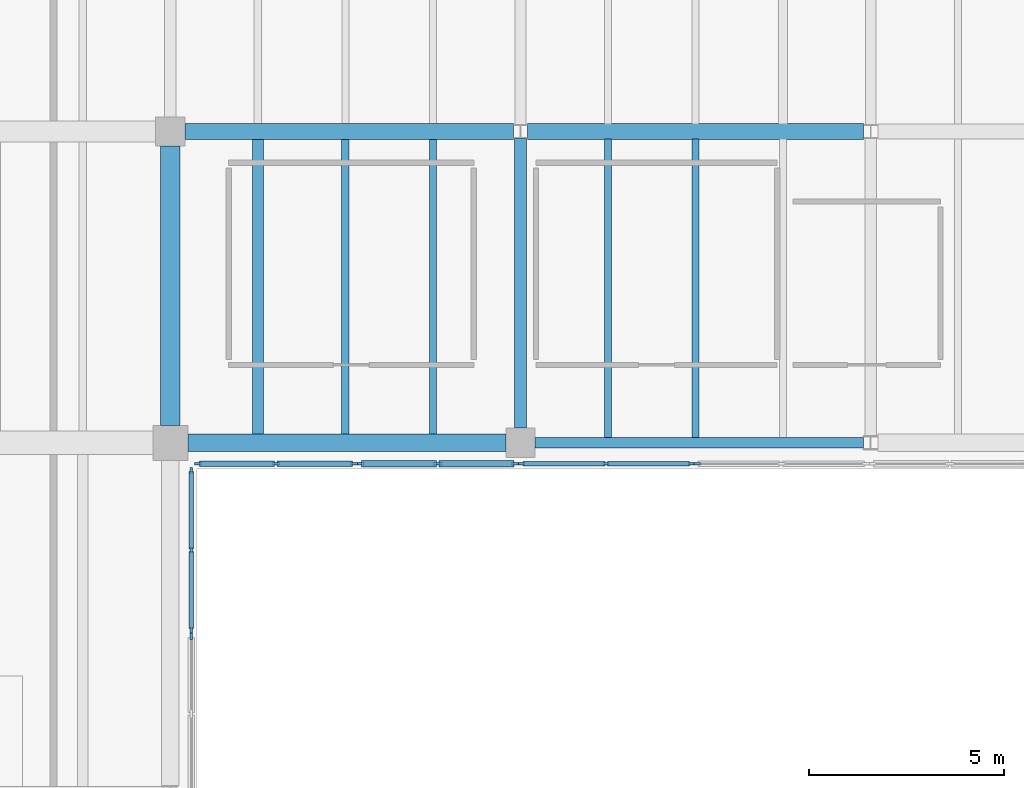
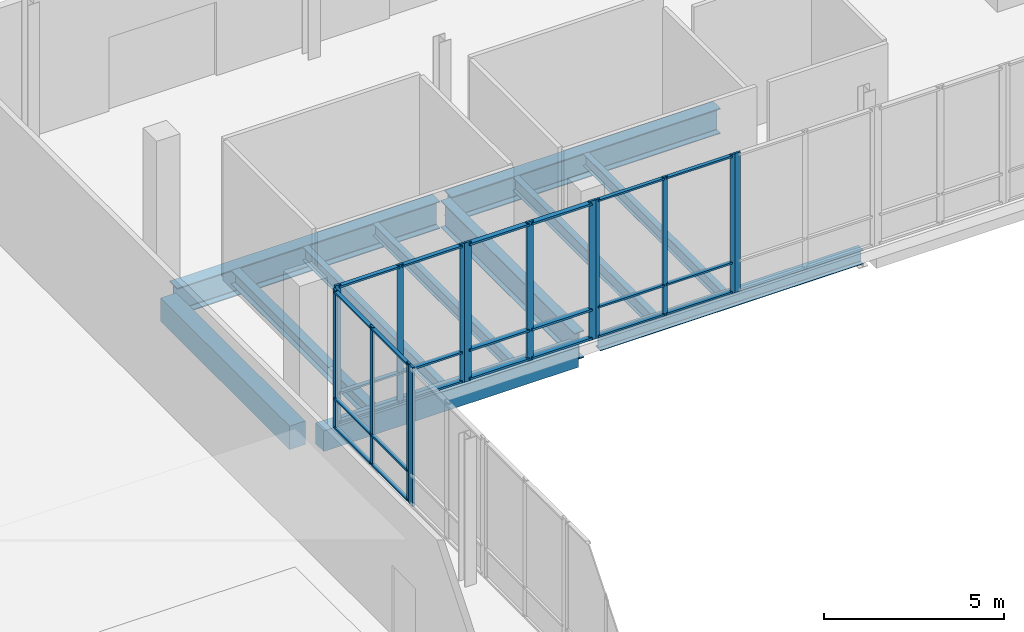
# One storey, part 40 of 88: 38 members, 11 beams, 6 elements without a shape of their own.
"""IFC4 building model written with IfcOpenShell, lengths in metres."""

from ifc_helpers import new_model, si_unit, direction, frame, origin, origin_2d, place, context, subcontext, project, spatial, rectangle, i_section, extrude, material, material_profile, profile_set, type_object, element, aggregate, save


model = new_model("IFC4")

# Units and contexts
model_context = context("Model", 3, precision=1e-05, world=origin(), true_north=direction((0.0, 1.0)))
body_context = subcontext(model_context, "Body", "Model", "MODEL_VIEW")
ifc_project = project(units=[si_unit("LENGTHUNIT", "METRE"), si_unit("AREAUNIT", "SQUARE_METRE"), si_unit("VOLUMEUNIT", "CUBIC_METRE"), si_unit("PLANEANGLEUNIT", "RADIAN"), si_unit("MASSUNIT", "GRAM", prefix="KILO")], contexts=[model_context])

# Site, building, storey
site_placement = place(None, origin())
site = spatial("IfcSite", under=ifc_project, at=site_placement, CompositionType="ELEMENT")
building_placement = place(site_placement, origin())
building = spatial("IfcBuilding", under=site, at=building_placement, Name="Trimount Lyric Opera House", CompositionType="ELEMENT")
storey_placement = place(building_placement, origin())
storey = spatial("IfcBuildingStorey", under=building, at=storey_placement, Name="L00", CompositionType="ELEMENT", Elevation=0.0)

# Beams
ifc_material_1 = material(Name="Steel ASTM A992 Grade 50", Category="steel")
ifc_material_profile_1 = material_profile(ifc_material_1, i_section(OverallWidth=0.4189453125, OverallDepth=0.927001953125, WebThickness=0.019287109375, FlangeThickness=0.031982421875, FilletRadius=0.02392578125, at=origin_2d()), Name="W36X231")
ifc_profile_set_1 = profile_set([ifc_material_profile_1], Name="Steel ASTM A992 Grade 50")
beam_type_1 = type_object("IfcBeamType", Name="B-02", PredefinedType="BEAM", material=ifc_profile_set_1)
beam_1_placement = place(storey_placement, frame((18.375, 110.0, -0.8134765625), z_axis=(1.0, 0.0, 0.0), x_axis=(0.0, 1.0, 0.0)))
element("IfcBeam", 1, at=beam_1_placement, inside=storey, type_object=beam_type_1, Name="L00 girder X-0207", PredefinedType="BEAM", context=body_context, shape_type="SweptSolid", body=[
    extrude(i_section(OverallWidth=0.4189453125, OverallDepth=0.927001953125, WebThickness=0.019287109375, FlangeThickness=0.031982421875, FilletRadius=0.02392578125, at=origin_2d()), origin(), (0.0, 0.0, 1.0), 8.44091796875),
])
ifc_material_2 = material(Name="Steel ASTM A992 Grade 50", Category="steel")
ifc_material_profile_2 = material_profile(ifc_material_2, i_section(OverallWidth=0.304931640625, OverallDepth=0.9189453125, WebThickness=0.017333984375, FlangeThickness=0.02783203125, FilletRadius=0.02001953125, at=origin_2d()), Name="W36X170")
ifc_profile_set_2 = profile_set([ifc_material_profile_2], Name="Steel ASTM A992 Grade 50")
beam_type_2 = type_object("IfcBeamType", Name="B-03", PredefinedType="BEAM", material=ifc_profile_set_2)
beam_2_placement = place(storey_placement, frame((27.0, 102.375, -0.8095703125), z_axis=(0.0, 1.0, 0.0), x_axis=(-1.0, 0.0, 0.0)))
element("IfcBeam", 2, at=beam_2_placement, inside=storey, type_object=beam_type_2, Name="L00 girder Y-0275", PredefinedType="BEAM", context=body_context, shape_type="SweptSolid", body=[
    extrude(i_section(OverallWidth=0.304931640625, OverallDepth=0.9189453125, WebThickness=0.017333984375, FlangeThickness=0.02783203125, FilletRadius=0.02001953125, at=origin_2d()), origin(), (0.0, 0.0, 1.0), 7.447021484375),
])
ifc_material_3 = material(Name="Steel ASTM A992 Grade 50", Category="steel")
ifc_material_profile_3 = material_profile(ifc_material_3, i_section(OverallWidth=0.40087890625, OverallDepth=0.861083984375, WebThickness=0.019775390625, FlangeThickness=0.032470703125, FilletRadius=0.02001953125, at=origin_2d()), Name="W33X221")
ifc_profile_set_3 = profile_set([ifc_material_profile_3], Name="Steel ASTM A992 Grade 50")
beam_type_3 = type_object("IfcBeamType", Name="B-04", PredefinedType="BEAM", material=ifc_profile_set_3)
beam_3_placement = place(storey_placement, frame((27.18408203125, 110.0, -0.780517578125), z_axis=(1.0, 0.0, 0.0), x_axis=(0.0, 1.0, 0.0)))
element("IfcBeam", 3, at=beam_3_placement, inside=storey, type_object=beam_type_3, Name="L00 girder X-0208", PredefinedType="BEAM", context=body_context, shape_type="SweptSolid", body=[
    extrude(i_section(OverallWidth=0.40087890625, OverallDepth=0.861083984375, WebThickness=0.019775390625, FlangeThickness=0.032470703125, FilletRadius=0.02001953125, at=origin_2d()), origin(), (0.0, 0.0, 1.0), 8.62939453125),
])
ifc_material_4 = material(Name="Concrete C40/50", Category="concrete")
ifc_material_profile_4 = material_profile(ifc_material_4, rectangle(XDim=0.5, YDim=0.800048828125, at=origin_2d()), Name="RC500X800")
ifc_profile_set_4 = profile_set([ifc_material_profile_4], Name="Concrete C40/50")
beam_type_4 = type_object("IfcBeamType", Name="B-15", PredefinedType="BEAM", material=ifc_profile_set_4)
beam_4_placement = place(storey_placement, frame((18.0, 102.449951171875, -0.75), z_axis=(0.0, 1.0, 0.0), x_axis=(-1.0, 0.0, 0.0)))
element("IfcBeam", 4, at=beam_4_placement, inside=storey, type_object=beam_type_4, Name="L00 girder Y-0270", PredefinedType="BEAM", context=body_context, shape_type="SweptSolid", body=[
    extrude(rectangle(XDim=0.5, YDim=0.800048828125, at=origin_2d()), origin(), (0.0, 0.0, 1.0), 7.175048828125),
])
ifc_material_5 = material(Name="Steel ASTM A992 Grade 50", Category="steel")
ifc_material_profile_5 = material_profile(ifc_material_5, i_section(OverallWidth=0.281982421875, OverallDepth=0.467041015625, WebThickness=0.01220703125, FlangeThickness=0.01953125, FilletRadius=0.012939453125, at=origin_2d()), Name="W18X86")
ifc_profile_set_5 = profile_set([ifc_material_profile_5], Name="Steel ASTM A992 Grade 50")
beam_type_5 = type_object("IfcBeamType", Name="J-03", PredefinedType="BEAM", material=ifc_profile_set_5)
beam_5_placement = place(storey_placement, frame((20.25, 102.220947265625, -0.58349609375), z_axis=(0.0, 1.0, 0.0), x_axis=(-1.0, 0.0, 0.0)))
element("IfcBeam", 5, at=beam_5_placement, inside=storey, type_object=beam_type_5, Name="L00 composite floor joist 0076", PredefinedType="BEAM", context=body_context, shape_type="SweptSolid", body=[
    extrude(i_section(OverallWidth=0.281982421875, OverallDepth=0.467041015625, WebThickness=0.01220703125, FlangeThickness=0.01953125, FilletRadius=0.012939453125, at=origin_2d()), origin(), (0.0, 0.0, 1.0), 7.573486328125),
])
ifc_material_6 = material(Name="Steel ASTM A992 Grade 50", Category="steel")
ifc_material_profile_6 = material_profile(ifc_material_6, i_section(OverallWidth=0.19091796875, OverallDepth=0.45703125, WebThickness=0.009033203125, FlangeThickness=0.014404296875, FilletRadius=0.010986328125, at=origin_2d()), Name="W18X50")
ifc_profile_set_6 = profile_set([ifc_material_profile_6], Name="Steel ASTM A992 Grade 50")
beam_type_6 = type_object("IfcBeamType", Name="J-04", PredefinedType="BEAM", material=ifc_profile_set_6)
beam_6_placement = place(storey_placement, frame((22.5, 102.220947265625, -0.57861328125), z_axis=(0.0, 1.0, 0.0), x_axis=(-1.0, 0.0, 0.0)))
element("IfcBeam", 6, at=beam_6_placement, inside=storey, type_object=beam_type_6, Name="L00 composite floor joist 0077", PredefinedType="BEAM", context=body_context, shape_type="SweptSolid", body=[
    extrude(i_section(OverallWidth=0.19091796875, OverallDepth=0.45703125, WebThickness=0.009033203125, FlangeThickness=0.014404296875, FilletRadius=0.010986328125, at=origin_2d()), origin(), (0.0, 0.0, 1.0), 7.573486328125),
])
beam_7_placement = place(storey_placement, frame((29.25, 102.136962890625, -0.57861328125), z_axis=(0.0, 1.0, 0.0), x_axis=(-1.0, 0.0, 0.0)))
element("IfcBeam", 7, at=beam_7_placement, inside=storey, type_object=beam_type_6, Name="L00 composite floor joist 0092", PredefinedType="BEAM", context=body_context, shape_type="SweptSolid", body=[
    extrude(i_section(OverallWidth=0.19091796875, OverallDepth=0.45703125, WebThickness=0.009033203125, FlangeThickness=0.014404296875, FilletRadius=0.010986328125, at=origin_2d()), origin(), (0.0, 0.0, 1.0), 7.66650390625),
])
ifc_material_7 = material(Name="Steel ASTM A992 Grade 50", Category="steel")
ifc_material_profile_7 = material_profile(ifc_material_7, i_section(OverallWidth=0.180908203125, OverallDepth=0.4169921875, WebThickness=0.010986328125, FlangeThickness=0.018310546875, FilletRadius=0.010986328125, at=origin_2d()), Name="W16X57")
ifc_profile_set_7 = profile_set([ifc_material_profile_7], Name="Steel ASTM A992 Grade 50")
beam_type_7 = type_object("IfcBeamType", Name="J-05", PredefinedType="BEAM", material=ifc_profile_set_7)
beam_8_placement = place(storey_placement, frame((24.75, 102.220947265625, -0.55859375), z_axis=(0.0, 1.0, 0.0), x_axis=(-1.0, 0.0, 0.0)))
element("IfcBeam", 8, at=beam_8_placement, inside=storey, type_object=beam_type_7, Name="L00 composite floor joist 0078", PredefinedType="BEAM", context=body_context, shape_type="SweptSolid", body=[
    extrude(i_section(OverallWidth=0.180908203125, OverallDepth=0.4169921875, WebThickness=0.010986328125, FlangeThickness=0.018310546875, FilletRadius=0.010986328125, at=origin_2d()), origin(), (0.0, 0.0, 1.0), 7.573486328125),
])
beam_9_placement = place(storey_placement, frame((31.5, 102.136962890625, -0.55859375), z_axis=(0.0, 1.0, 0.0), x_axis=(-1.0, 0.0, 0.0)))
element("IfcBeam", 9, at=beam_9_placement, inside=storey, type_object=beam_type_7, Name="L00 composite floor joist 0093", PredefinedType="BEAM", context=body_context, shape_type="SweptSolid", body=[
    extrude(i_section(OverallWidth=0.180908203125, OverallDepth=0.4169921875, WebThickness=0.010986328125, FlangeThickness=0.018310546875, FilletRadius=0.010986328125, at=origin_2d()), origin(), (0.0, 0.0, 1.0), 7.66650390625),
])

# Curtain wall, members
ifc_material_8 = material(Name="Thermally Broken Aluminium and Low-E Glass", Category="aluminium")
curtain_wall_type = type_object("IfcCurtainWallType", Name="CW-03", PredefinedType="NOTDEFINED", material=ifc_material_8)
curtain_wall_1_placement = place(storey_placement, origin())
curtain_wall_1 = element("IfcCurtainWall", 10, at=curtain_wall_1_placement, inside=storey, type_object=curtain_wall_type, Name="L00 curtain wall 069", PredefinedType="NOTDEFINED")
ifc_material_9 = material(Name="Anodised Aluminium 6063-T6", Category="aluminium")
ifc_material_profile_8 = material_profile(ifc_material_9, rectangle(XDim=0.070068359375, YDim=0.219970703125, at=origin_2d()), Name="ALU-MULL-70X220")
ifc_profile_set_8 = profile_set([ifc_material_profile_8], Name="Anodised Aluminium 6063-T6")
member_type_1 = type_object("IfcMemberType", Name="ML-01", PredefinedType="MULLION", material=ifc_profile_set_8)
member_1_placement = place(storey_placement, frame((26.875, 101.4599609375, 0.0), z_axis=(0.0, 0.0, 1.0), x_axis=(0.0, -1.0, 0.0)))
member_1 = element("IfcMember", 11, at=member_1_placement, type_object=member_type_1, Name="CW-03 mullion 1", PredefinedType="MULLION", context=body_context, shape_type="SweptSolid", body=[
    extrude(rectangle(XDim=0.070068359375, YDim=0.219970703125, at=origin_2d()), origin(), (0.0, 0.0, 1.0), 4.719970703125),
])
member_2_placement = place(storey_placement, frame((24.875, 101.4599609375, 0.0), z_axis=(0.0, 0.0, 1.0), x_axis=(0.0, -1.0, 0.0)))
member_2 = element("IfcMember", 12, at=member_2_placement, type_object=member_type_1, Name="CW-03 mullion 2", PredefinedType="MULLION", context=body_context, shape_type="SweptSolid", body=[
    extrude(rectangle(XDim=0.070068359375, YDim=0.219970703125, at=origin_2d()), origin(), (0.0, 0.0, 1.0), 4.719970703125),
])
member_3_placement = place(storey_placement, frame((22.875, 101.4599609375, 0.0), z_axis=(0.0, 0.0, 1.0), x_axis=(0.0, -1.0, 0.0)))
member_3 = element("IfcMember", 13, at=member_3_placement, type_object=member_type_1, Name="CW-03 mullion 3", PredefinedType="MULLION", context=body_context, shape_type="SweptSolid", body=[
    extrude(rectangle(XDim=0.070068359375, YDim=0.219970703125, at=origin_2d()), origin(), (0.0, 0.0, 1.0), 4.719970703125),
])

# Curtain wall, member
curtain_wall_2_placement = place(storey_placement, origin())
curtain_wall_2 = element("IfcCurtainWall", 14, at=curtain_wall_2_placement, inside=storey, type_object=curtain_wall_type, Name="L00 curtain wall 072", PredefinedType="NOTDEFINED")
member_4_placement = place(storey_placement, frame((18.5400390625, 97.034912109375, 0.0), z_axis=(0.0, 0.0, 1.0), x_axis=(1.0, 0.0, 0.0)))
member_4 = element("IfcMember", 15, at=member_4_placement, type_object=member_type_1, Name="CW-03 mullion 1", PredefinedType="MULLION", context=body_context, shape_type="SweptSolid", body=[
    extrude(rectangle(XDim=0.070068359375, YDim=0.219970703125, at=origin_2d()), origin(), (0.0, 0.0, 1.0), 4.719970703125),
])
aggregate(curtain_wall_2, [member_4])

curtain_wall_3_placement = place(storey_placement, origin())
curtain_wall_3 = element("IfcCurtainWall", 16, at=curtain_wall_3_placement, inside=storey, type_object=curtain_wall_type, Name="L00 curtain wall 067", PredefinedType="NOTDEFINED")
ifc_material_10 = material(Name="Anodised Aluminium 6063-T6", Category="aluminium")
ifc_material_profile_9 = material_profile(ifc_material_10, rectangle(XDim=0.06494140625, YDim=0.179931640625, at=origin_2d()), Name="ALU-MULL-65X180")
ifc_profile_set_9 = profile_set([ifc_material_profile_9], Name="Anodised Aluminium 6063-T6")
member_type_2 = type_object("IfcMemberType", Name="ML-02", PredefinedType="MULLION", material=ifc_profile_set_9)
member_5_placement = place(storey_placement, frame((31.532470703125, 101.4599609375, 0.0), z_axis=(0.0, 0.0, 1.0), x_axis=(0.0, -1.0, 0.0)))
member_5 = element("IfcMember", 17, at=member_5_placement, type_object=member_type_2, Name="CW-03 mullion 3", PredefinedType="MULLION", context=body_context, shape_type="SweptSolid", body=[
    extrude(rectangle(XDim=0.06494140625, YDim=0.179931640625, at=origin_2d()), origin(), (0.0, 0.0, 1.0), 4.719970703125),
])
aggregate(curtain_wall_3, [member_5])

# Curtain wall, members
curtain_wall_4_placement = place(storey_placement, origin())
curtain_wall_4 = element("IfcCurtainWall", 18, at=curtain_wall_4_placement, inside=storey, type_object=curtain_wall_type, Name="L00 curtain wall 070", PredefinedType="NOTDEFINED")
member_6_placement = place(storey_placement, frame((22.717529296875, 101.4599609375, 0.0), z_axis=(0.0, 0.0, 1.0), x_axis=(0.0, -1.0, 0.0)))
member_6 = element("IfcMember", 19, at=member_6_placement, type_object=member_type_2, Name="CW-03 mullion 1", PredefinedType="MULLION", context=body_context, shape_type="SweptSolid", body=[
    extrude(rectangle(XDim=0.06494140625, YDim=0.179931640625, at=origin_2d()), origin(), (0.0, 0.0, 1.0), 4.719970703125),
])
member_7_placement = place(storey_placement, frame((20.715087890625, 101.4599609375, 0.0), z_axis=(0.0, 0.0, 1.0), x_axis=(0.0, -1.0, 0.0)))
member_7 = element("IfcMember", 20, at=member_7_placement, type_object=member_type_2, Name="CW-03 mullion 2", PredefinedType="MULLION", context=body_context, shape_type="SweptSolid", body=[
    extrude(rectangle(XDim=0.06494140625, YDim=0.179931640625, at=origin_2d()), origin(), (0.0, 0.0, 1.0), 4.719970703125),
])
member_8_placement = place(storey_placement, frame((18.71240234375, 101.4599609375, 0.0), z_axis=(0.0, 0.0, 1.0), x_axis=(0.0, -1.0, 0.0)))
member_8 = element("IfcMember", 21, at=member_8_placement, type_object=member_type_2, Name="CW-03 mullion 3", PredefinedType="MULLION", context=body_context, shape_type="SweptSolid", body=[
    extrude(rectangle(XDim=0.06494140625, YDim=0.179931640625, at=origin_2d()), origin(), (0.0, 0.0, 1.0), 4.719970703125),
])

curtain_wall_5_placement = place(storey_placement, origin())
curtain_wall_5 = element("IfcCurtainWall", 22, at=curtain_wall_5_placement, inside=storey, type_object=curtain_wall_type, Name="L00 curtain wall 068", PredefinedType="NOTDEFINED")
ifc_material_11 = material(Name="Anodised Aluminium 6063-T6", Category="aluminium")
ifc_material_profile_10 = material_profile(ifc_material_11, rectangle(XDim=0.06005859375, YDim=0.14990234375, at=origin_2d()), Name="ALU-MULL-60X150")
ifc_profile_set_10 = profile_set([ifc_material_profile_10], Name="Anodised Aluminium 6063-T6")
member_type_3 = type_object("IfcMemberType", Name="ML-03", PredefinedType="MULLION", material=ifc_profile_set_10)
member_9_placement = place(storey_placement, frame((31.3798828125, 101.4599609375, 0.0), z_axis=(0.0, 0.0, 1.0), x_axis=(0.0, -1.0, 0.0)))
member_9 = element("IfcMember", 23, at=member_9_placement, type_object=member_type_3, Name="CW-03 mullion 1", PredefinedType="MULLION", context=body_context, shape_type="SweptSolid", body=[
    extrude(rectangle(XDim=0.06005859375, YDim=0.14990234375, at=origin_2d()), origin(), (0.0, 0.0, 1.0), 4.719970703125),
])
member_10_placement = place(storey_placement, frame((29.205078125, 101.4599609375, 0.0), z_axis=(0.0, 0.0, 1.0), x_axis=(0.0, -1.0, 0.0)))
member_10 = element("IfcMember", 24, at=member_10_placement, type_object=member_type_3, Name="CW-03 mullion 2", PredefinedType="MULLION", context=body_context, shape_type="SweptSolid", body=[
    extrude(rectangle(XDim=0.06005859375, YDim=0.14990234375, at=origin_2d()), origin(), (0.0, 0.0, 1.0), 4.719970703125),
])
member_11_placement = place(storey_placement, frame((27.030029296875, 101.4599609375, 0.0), z_axis=(0.0, 0.0, 1.0), x_axis=(0.0, -1.0, 0.0)))
member_11 = element("IfcMember", 25, at=member_11_placement, type_object=member_type_3, Name="CW-03 mullion 3", PredefinedType="MULLION", context=body_context, shape_type="SweptSolid", body=[
    extrude(rectangle(XDim=0.06005859375, YDim=0.14990234375, at=origin_2d()), origin(), (0.0, 0.0, 1.0), 4.719970703125),
])

curtain_wall_6_placement = place(storey_placement, origin())
curtain_wall_6 = element("IfcCurtainWall", 26, at=curtain_wall_6_placement, inside=storey, type_object=curtain_wall_type, Name="L00 curtain wall 071", PredefinedType="NOTDEFINED")
member_12_placement = place(storey_placement, frame((18.5400390625, 101.2900390625, 0.0), z_axis=(0.0, 0.0, 1.0), x_axis=(1.0, 0.0, 0.0)))
member_12 = element("IfcMember", 27, at=member_12_placement, type_object=member_type_3, Name="CW-03 mullion 1", PredefinedType="MULLION", context=body_context, shape_type="SweptSolid", body=[
    extrude(rectangle(XDim=0.06005859375, YDim=0.14990234375, at=origin_2d()), origin(), (0.0, 0.0, 1.0), 4.719970703125),
])
member_13_placement = place(storey_placement, frame((18.5400390625, 99.239990234375, 0.0), z_axis=(0.0, 0.0, 1.0), x_axis=(1.0, 0.0, 0.0)))
member_13 = element("IfcMember", 28, at=member_13_placement, type_object=member_type_3, Name="CW-03 mullion 2", PredefinedType="MULLION", context=body_context, shape_type="SweptSolid", body=[
    extrude(rectangle(XDim=0.06005859375, YDim=0.14990234375, at=origin_2d()), origin(), (0.0, 0.0, 1.0), 4.719970703125),
])
member_14_placement = place(storey_placement, frame((18.5400390625, 97.18994140625, 0.0), z_axis=(0.0, 0.0, 1.0), x_axis=(1.0, 0.0, 0.0)))
member_14 = element("IfcMember", 29, at=member_14_placement, type_object=member_type_3, Name="CW-03 mullion 3", PredefinedType="MULLION", context=body_context, shape_type="SweptSolid", body=[
    extrude(rectangle(XDim=0.06005859375, YDim=0.14990234375, at=origin_2d()), origin(), (0.0, 0.0, 1.0), 4.719970703125),
])

# Beams
ifc_material_12 = material(Name="Steel ASTM A992 Grade 50", Category="steel")
ifc_material_profile_11 = material_profile(ifc_material_12, i_section(OverallWidth=0.281982421875, OverallDepth=0.467041015625, WebThickness=0.01220703125, FlangeThickness=0.01953125, FilletRadius=0.012939453125, at=origin_2d()), Name="W18X86")
ifc_profile_set_11 = profile_set([ifc_material_profile_11], Name="Steel ASTM A992 Grade 50")
beam_type_8 = type_object("IfcBeamType", Name="SP-01", PredefinedType="SPANDREL", material=ifc_profile_set_11)
beam_10_placement = place(storey_placement, frame((27.375, 102.0, -0.58349609375), z_axis=(1.0, 0.0, 0.0), x_axis=(0.0, 1.0, 0.0)))
element("IfcBeam", 30, at=beam_10_placement, inside=storey, type_object=beam_type_8, Name="L00 girder X-0189", PredefinedType="SPANDREL", context=body_context, shape_type="SweptSolid", body=[
    extrude(i_section(OverallWidth=0.281982421875, OverallDepth=0.467041015625, WebThickness=0.01220703125, FlangeThickness=0.01953125, FilletRadius=0.012939453125, at=origin_2d()), origin(), (0.0, 0.0, 1.0), 8.44091796875),
])
ifc_material_13 = material(Name="Concrete C40/50", Category="concrete")
ifc_material_profile_12 = material_profile(ifc_material_13, rectangle(XDim=0.449951171875, YDim=0.699951171875, at=origin_2d()), Name="RC450X700")
ifc_profile_set_12 = profile_set([ifc_material_profile_12], Name="Concrete C40/50")
beam_type_9 = type_object("IfcBeamType", Name="SP-02", PredefinedType="SPANDREL", material=ifc_profile_set_12)
beam_11_placement = place(storey_placement, frame((18.449951171875, 102.0, -0.699951171875), z_axis=(1.0, 0.0, 0.0), x_axis=(0.0, 1.0, 0.0)))
element("IfcBeam", 31, at=beam_11_placement, inside=storey, type_object=beam_type_9, Name="L00 girder X-0188", PredefinedType="SPANDREL", context=body_context, shape_type="SweptSolid", body=[
    extrude(rectangle(XDim=0.449951171875, YDim=0.699951171875, at=origin_2d()), origin(), (0.0, 0.0, 1.0), 8.175048828125),
])

# Member
ifc_material_14 = material(Name="Anodised Aluminium 6063-T6", Category="aluminium")
ifc_material_profile_13 = material_profile(ifc_material_14, rectangle(XDim=0.159912109375, YDim=0.070068359375, at=origin_2d()), Name="ALU-TRAN-70X160")
ifc_profile_set_13 = profile_set([ifc_material_profile_13], Name="Anodised Aluminium 6063-T6")
member_type_4 = type_object("IfcMemberType", Name="TR-01", PredefinedType="USERDEFINED", material=ifc_profile_set_13)
member_15_placement = place(storey_placement, frame((26.840087890625, 101.4599609375, 0.080078125), z_axis=(-1.0, 0.0, 0.0), x_axis=(0.0, -1.0, 0.0)))
member_15 = element("IfcMember", 32, at=member_15_placement, type_object=member_type_4, Name="CW-03 transom 1.1", ObjectType="TRANSOM", PredefinedType="USERDEFINED", context=body_context, shape_type="SweptSolid", body=[
    extrude(rectangle(XDim=0.159912109375, YDim=0.070068359375, at=origin_2d()), origin(), (0.0, 0.0, 1.0), 1.93017578125),
])

member_16_placement = place(storey_placement, frame((26.840087890625, 101.4599609375, 1.050048828125), z_axis=(-1.0, 0.0, 0.0), x_axis=(0.0, -1.0, 0.0)))
member_16 = element("IfcMember", 33, at=member_16_placement, type_object=member_type_4, Name="CW-03 transom 1.2", ObjectType="TRANSOM", PredefinedType="USERDEFINED", context=body_context, shape_type="SweptSolid", body=[
    extrude(rectangle(XDim=0.159912109375, YDim=0.070068359375, at=origin_2d()), origin(), (0.0, 0.0, 1.0), 1.93017578125),
])

member_17_placement = place(storey_placement, frame((26.840087890625, 101.4599609375, 4.639892578125), z_axis=(-1.0, 0.0, 0.0), x_axis=(0.0, -1.0, 0.0)))
member_17 = element("IfcMember", 34, at=member_17_placement, type_object=member_type_4, Name="CW-03 transom 1.3", ObjectType="TRANSOM", PredefinedType="USERDEFINED", context=body_context, shape_type="SweptSolid", body=[
    extrude(rectangle(XDim=0.159912109375, YDim=0.070068359375, at=origin_2d()), origin(), (0.0, 0.0, 1.0), 1.93017578125),
])

member_18_placement = place(storey_placement, frame((24.840087890625, 101.4599609375, 0.080078125), z_axis=(-1.0, 0.0, 0.0), x_axis=(0.0, -1.0, 0.0)))
member_18 = element("IfcMember", 35, at=member_18_placement, type_object=member_type_4, Name="CW-03 transom 2.1", ObjectType="TRANSOM", PredefinedType="USERDEFINED", context=body_context, shape_type="SweptSolid", body=[
    extrude(rectangle(XDim=0.159912109375, YDim=0.070068359375, at=origin_2d()), origin(), (0.0, 0.0, 1.0), 1.93017578125),
])

member_19_placement = place(storey_placement, frame((24.840087890625, 101.4599609375, 1.050048828125), z_axis=(-1.0, 0.0, 0.0), x_axis=(0.0, -1.0, 0.0)))
member_19 = element("IfcMember", 36, at=member_19_placement, type_object=member_type_4, Name="CW-03 transom 2.2", ObjectType="TRANSOM", PredefinedType="USERDEFINED", context=body_context, shape_type="SweptSolid", body=[
    extrude(rectangle(XDim=0.159912109375, YDim=0.070068359375, at=origin_2d()), origin(), (0.0, 0.0, 1.0), 1.93017578125),
])

member_20_placement = place(storey_placement, frame((24.840087890625, 101.4599609375, 4.639892578125), z_axis=(-1.0, 0.0, 0.0), x_axis=(0.0, -1.0, 0.0)))
member_20 = element("IfcMember", 37, at=member_20_placement, type_object=member_type_4, Name="CW-03 transom 2.3", ObjectType="TRANSOM", PredefinedType="USERDEFINED", context=body_context, shape_type="SweptSolid", body=[
    extrude(rectangle(XDim=0.159912109375, YDim=0.070068359375, at=origin_2d()), origin(), (0.0, 0.0, 1.0), 1.93017578125),
])

aggregate(curtain_wall_1, [member_1, member_2, member_3, member_15, member_16, member_17, member_18, member_19, member_20])

ifc_material_15 = material(Name="Anodised Aluminium 6063-T6", Category="aluminium")
ifc_material_profile_14 = material_profile(ifc_material_15, rectangle(XDim=0.135009765625, YDim=0.06494140625, at=origin_2d()), Name="ALU-TRAN-65X135")
ifc_profile_set_14 = profile_set([ifc_material_profile_14], Name="Anodised Aluminium 6063-T6")
member_type_5 = type_object("IfcMemberType", Name="TR-02", PredefinedType="USERDEFINED", material=ifc_profile_set_14)
member_21_placement = place(storey_placement, frame((22.68505859375, 101.4599609375, 0.0673828125), z_axis=(-1.0, 0.0, 0.0), x_axis=(0.0, -1.0, 0.0)))
member_21 = element("IfcMember", 38, at=member_21_placement, type_object=member_type_5, Name="CW-03 transom 1.1", ObjectType="TRANSOM", PredefinedType="USERDEFINED", context=body_context, shape_type="SweptSolid", body=[
    extrude(rectangle(XDim=0.135009765625, YDim=0.06494140625, at=origin_2d()), origin(), (0.0, 0.0, 1.0), 1.9375),
])

member_22_placement = place(storey_placement, frame((22.68505859375, 101.4599609375, 1.050048828125), z_axis=(-1.0, 0.0, 0.0), x_axis=(0.0, -1.0, 0.0)))
member_22 = element("IfcMember", 39, at=member_22_placement, type_object=member_type_5, Name="CW-03 transom 1.2", ObjectType="TRANSOM", PredefinedType="USERDEFINED", context=body_context, shape_type="SweptSolid", body=[
    extrude(rectangle(XDim=0.135009765625, YDim=0.06494140625, at=origin_2d()), origin(), (0.0, 0.0, 1.0), 1.9375),
])

member_23_placement = place(storey_placement, frame((22.68505859375, 101.4599609375, 4.652587890625), z_axis=(-1.0, 0.0, 0.0), x_axis=(0.0, -1.0, 0.0)))
member_23 = element("IfcMember", 40, at=member_23_placement, type_object=member_type_5, Name="CW-03 transom 1.3", ObjectType="TRANSOM", PredefinedType="USERDEFINED", context=body_context, shape_type="SweptSolid", body=[
    extrude(rectangle(XDim=0.135009765625, YDim=0.06494140625, at=origin_2d()), origin(), (0.0, 0.0, 1.0), 1.9375),
])

member_24_placement = place(storey_placement, frame((20.6826171875, 101.4599609375, 0.0673828125), z_axis=(-1.0, 0.0, 0.0), x_axis=(0.0, -1.0, 0.0)))
member_24 = element("IfcMember", 41, at=member_24_placement, type_object=member_type_5, Name="CW-03 transom 2.1", ObjectType="TRANSOM", PredefinedType="USERDEFINED", context=body_context, shape_type="SweptSolid", body=[
    extrude(rectangle(XDim=0.135009765625, YDim=0.06494140625, at=origin_2d()), origin(), (0.0, 0.0, 1.0), 1.9375),
])

member_25_placement = place(storey_placement, frame((20.6826171875, 101.4599609375, 1.050048828125), z_axis=(-1.0, 0.0, 0.0), x_axis=(0.0, -1.0, 0.0)))
member_25 = element("IfcMember", 42, at=member_25_placement, type_object=member_type_5, Name="CW-03 transom 2.2", ObjectType="TRANSOM", PredefinedType="USERDEFINED", context=body_context, shape_type="SweptSolid", body=[
    extrude(rectangle(XDim=0.135009765625, YDim=0.06494140625, at=origin_2d()), origin(), (0.0, 0.0, 1.0), 1.9375),
])

member_26_placement = place(storey_placement, frame((20.6826171875, 101.4599609375, 4.652587890625), z_axis=(-1.0, 0.0, 0.0), x_axis=(0.0, -1.0, 0.0)))
member_26 = element("IfcMember", 43, at=member_26_placement, type_object=member_type_5, Name="CW-03 transom 2.3", ObjectType="TRANSOM", PredefinedType="USERDEFINED", context=body_context, shape_type="SweptSolid", body=[
    extrude(rectangle(XDim=0.135009765625, YDim=0.06494140625, at=origin_2d()), origin(), (0.0, 0.0, 1.0), 1.9375),
])

aggregate(curtain_wall_4, [member_6, member_7, member_8, member_21, member_22, member_23, member_24, member_25, member_26])

ifc_material_16 = material(Name="Anodised Aluminium 6063-T6", Category="aluminium")
ifc_material_profile_15 = material_profile(ifc_material_16, rectangle(XDim=0.114990234375, YDim=0.06005859375, at=origin_2d()), Name="ALU-TRAN-60X115")
ifc_profile_set_15 = profile_set([ifc_material_profile_15], Name="Anodised Aluminium 6063-T6")
member_type_6 = type_object("IfcMemberType", Name="TR-03", PredefinedType="USERDEFINED", material=ifc_profile_set_15)
member_27_placement = place(storey_placement, frame((31.35009765625, 101.4599609375, 0.0576171875), z_axis=(-1.0, 0.0, 0.0), x_axis=(0.0, -1.0, 0.0)))
member_27 = element("IfcMember", 44, at=member_27_placement, type_object=member_type_6, Name="CW-03 transom 1.1", ObjectType="TRANSOM", PredefinedType="USERDEFINED", context=body_context, shape_type="SweptSolid", body=[
    extrude(rectangle(XDim=0.114990234375, YDim=0.06005859375, at=origin_2d()), origin(), (0.0, 0.0, 1.0), 2.114990234375),
])

member_28_placement = place(storey_placement, frame((31.35009765625, 101.4599609375, 1.050048828125), z_axis=(-1.0, 0.0, 0.0), x_axis=(0.0, -1.0, 0.0)))
member_28 = element("IfcMember", 45, at=member_28_placement, type_object=member_type_6, Name="CW-03 transom 1.2", ObjectType="TRANSOM", PredefinedType="USERDEFINED", context=body_context, shape_type="SweptSolid", body=[
    extrude(rectangle(XDim=0.114990234375, YDim=0.06005859375, at=origin_2d()), origin(), (0.0, 0.0, 1.0), 2.114990234375),
])

member_29_placement = place(storey_placement, frame((31.35009765625, 101.4599609375, 4.66259765625), z_axis=(-1.0, 0.0, 0.0), x_axis=(0.0, -1.0, 0.0)))
member_29 = element("IfcMember", 46, at=member_29_placement, type_object=member_type_6, Name="CW-03 transom 1.3", ObjectType="TRANSOM", PredefinedType="USERDEFINED", context=body_context, shape_type="SweptSolid", body=[
    extrude(rectangle(XDim=0.114990234375, YDim=0.06005859375, at=origin_2d()), origin(), (0.0, 0.0, 1.0), 2.114990234375),
])

member_30_placement = place(storey_placement, frame((29.175048828125, 101.4599609375, 0.0576171875), z_axis=(-1.0, 0.0, 0.0), x_axis=(0.0, -1.0, 0.0)))
member_30 = element("IfcMember", 47, at=member_30_placement, type_object=member_type_6, Name="CW-03 transom 2.1", ObjectType="TRANSOM", PredefinedType="USERDEFINED", context=body_context, shape_type="SweptSolid", body=[
    extrude(rectangle(XDim=0.114990234375, YDim=0.06005859375, at=origin_2d()), origin(), (0.0, 0.0, 1.0), 2.114990234375),
])

member_31_placement = place(storey_placement, frame((29.175048828125, 101.4599609375, 1.050048828125), z_axis=(-1.0, 0.0, 0.0), x_axis=(0.0, -1.0, 0.0)))
member_31 = element("IfcMember", 48, at=member_31_placement, type_object=member_type_6, Name="CW-03 transom 2.2", ObjectType="TRANSOM", PredefinedType="USERDEFINED", context=body_context, shape_type="SweptSolid", body=[
    extrude(rectangle(XDim=0.114990234375, YDim=0.06005859375, at=origin_2d()), origin(), (0.0, 0.0, 1.0), 2.114990234375),
])

member_32_placement = place(storey_placement, frame((29.175048828125, 101.4599609375, 4.66259765625), z_axis=(-1.0, 0.0, 0.0), x_axis=(0.0, -1.0, 0.0)))
member_32 = element("IfcMember", 49, at=member_32_placement, type_object=member_type_6, Name="CW-03 transom 2.3", ObjectType="TRANSOM", PredefinedType="USERDEFINED", context=body_context, shape_type="SweptSolid", body=[
    extrude(rectangle(XDim=0.114990234375, YDim=0.06005859375, at=origin_2d()), origin(), (0.0, 0.0, 1.0), 2.114990234375),
])

aggregate(curtain_wall_5, [member_9, member_10, member_11, member_27, member_28, member_29, member_30, member_31, member_32])

member_33_placement = place(storey_placement, frame((18.5400390625, 101.260009765625, 0.0576171875), z_axis=(0.0, -1.0, 0.0), x_axis=(1.0, 0.0, 0.0)))
member_33 = element("IfcMember", 50, at=member_33_placement, type_object=member_type_6, Name="CW-03 transom 1.1", ObjectType="TRANSOM", PredefinedType="USERDEFINED", context=body_context, shape_type="SweptSolid", body=[
    extrude(rectangle(XDim=0.114990234375, YDim=0.06005859375, at=origin_2d()), origin(), (0.0, 0.0, 1.0), 1.989990234375),
])

member_34_placement = place(storey_placement, frame((18.5400390625, 101.260009765625, 1.050048828125), z_axis=(0.0, -1.0, 0.0), x_axis=(1.0, 0.0, 0.0)))
member_34 = element("IfcMember", 51, at=member_34_placement, type_object=member_type_6, Name="CW-03 transom 1.2", ObjectType="TRANSOM", PredefinedType="USERDEFINED", context=body_context, shape_type="SweptSolid", body=[
    extrude(rectangle(XDim=0.114990234375, YDim=0.06005859375, at=origin_2d()), origin(), (0.0, 0.0, 1.0), 1.989990234375),
])

member_35_placement = place(storey_placement, frame((18.5400390625, 101.260009765625, 4.66259765625), z_axis=(0.0, -1.0, 0.0), x_axis=(1.0, 0.0, 0.0)))
member_35 = element("IfcMember", 52, at=member_35_placement, type_object=member_type_6, Name="CW-03 transom 1.3", ObjectType="TRANSOM", PredefinedType="USERDEFINED", context=body_context, shape_type="SweptSolid", body=[
    extrude(rectangle(XDim=0.114990234375, YDim=0.06005859375, at=origin_2d()), origin(), (0.0, 0.0, 1.0), 1.989990234375),
])

member_36_placement = place(storey_placement, frame((18.5400390625, 99.2099609375, 0.0576171875), z_axis=(0.0, -1.0, 0.0), x_axis=(1.0, 0.0, 0.0)))
member_36 = element("IfcMember", 53, at=member_36_placement, type_object=member_type_6, Name="CW-03 transom 2.1", ObjectType="TRANSOM", PredefinedType="USERDEFINED", context=body_context, shape_type="SweptSolid", body=[
    extrude(rectangle(XDim=0.114990234375, YDim=0.06005859375, at=origin_2d()), origin(), (0.0, 0.0, 1.0), 1.989990234375),
])

member_37_placement = place(storey_placement, frame((18.5400390625, 99.2099609375, 1.050048828125), z_axis=(0.0, -1.0, 0.0), x_axis=(1.0, 0.0, 0.0)))
member_37 = element("IfcMember", 54, at=member_37_placement, type_object=member_type_6, Name="CW-03 transom 2.2", ObjectType="TRANSOM", PredefinedType="USERDEFINED", context=body_context, shape_type="SweptSolid", body=[
    extrude(rectangle(XDim=0.114990234375, YDim=0.06005859375, at=origin_2d()), origin(), (0.0, 0.0, 1.0), 1.989990234375),
])

member_38_placement = place(storey_placement, frame((18.5400390625, 99.2099609375, 4.66259765625), z_axis=(0.0, -1.0, 0.0), x_axis=(1.0, 0.0, 0.0)))
member_38 = element("IfcMember", 55, at=member_38_placement, type_object=member_type_6, Name="CW-03 transom 2.3", ObjectType="TRANSOM", PredefinedType="USERDEFINED", context=body_context, shape_type="SweptSolid", body=[
    extrude(rectangle(XDim=0.114990234375, YDim=0.06005859375, at=origin_2d()), origin(), (0.0, 0.0, 1.0), 1.989990234375),
])

aggregate(curtain_wall_6, [member_12, member_13, member_14, member_33, member_34, member_35, member_36, member_37, member_38])

save(model, "model.ifc")
